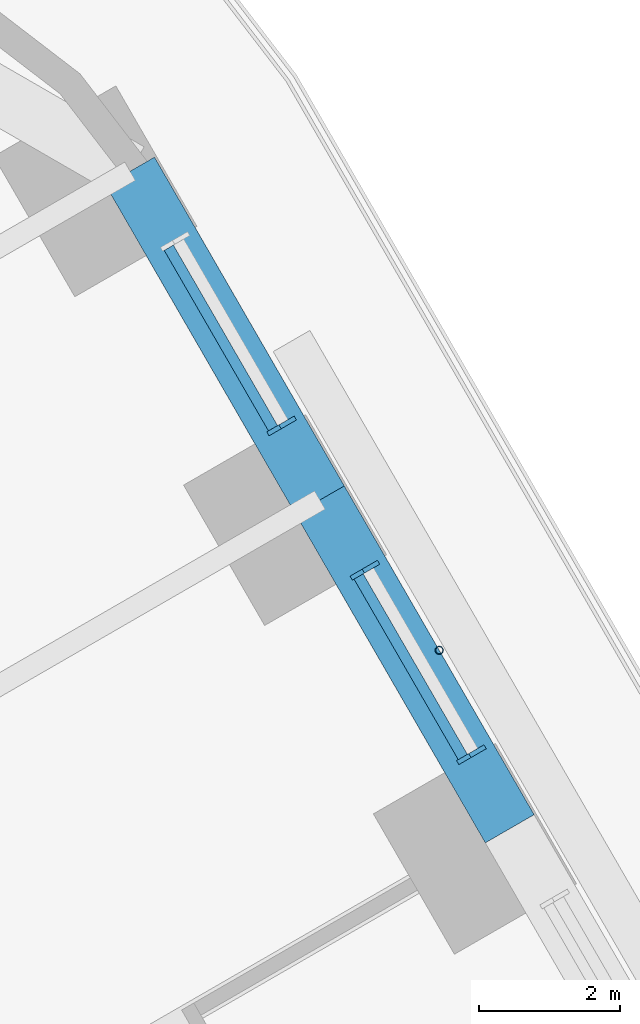
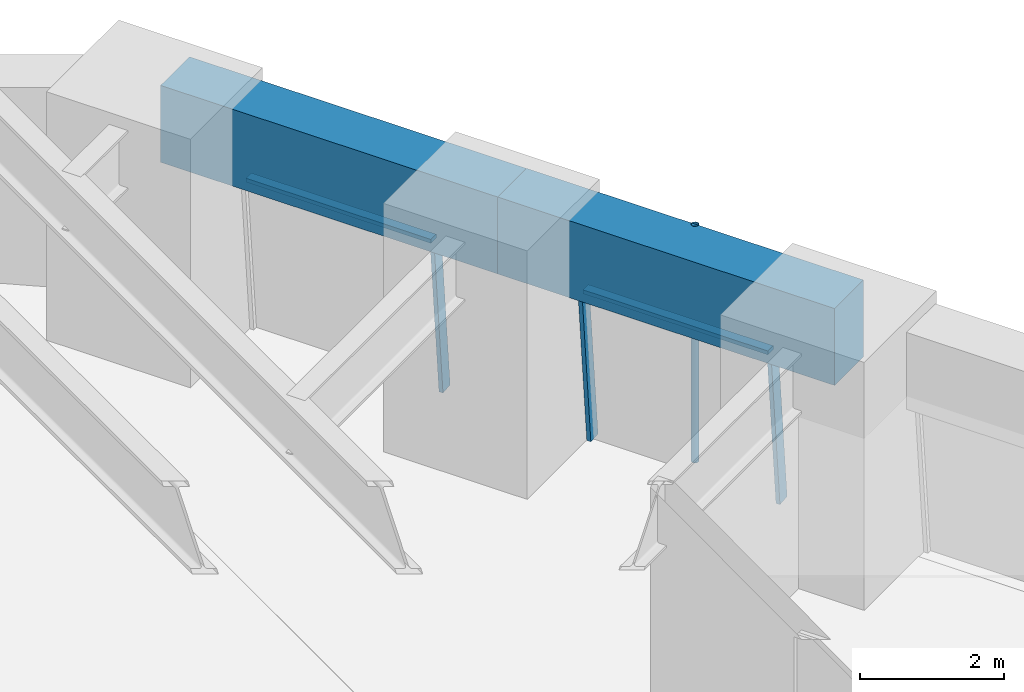
# One storey, part 11 of 23: 6 members, 2 beams, 2 elements without a shape of their own.
"""IFC4 building model written with IfcOpenShell, lengths in metres."""

from ifc_helpers import new_model, si_unit, direction, frame, origin, origin_2d, place, context, subcontext, project, spatial, rectangle, hollow_circle, extrude, material, material_profile, profile_set, type_object, element, aggregate, save


model = new_model("IFC4")

# Units and contexts
model_context = context("Model", 3, precision=1e-05, world=origin(), true_north=direction((0.0, 1.0)))
body_context = subcontext(model_context, "Body", "Model", "MODEL_VIEW")
ifc_project = project(units=[si_unit("LENGTHUNIT", "METRE"), si_unit("AREAUNIT", "SQUARE_METRE"), si_unit("VOLUMEUNIT", "CUBIC_METRE"), si_unit("PLANEANGLEUNIT", "RADIAN"), si_unit("MASSUNIT", "GRAM", prefix="KILO")], contexts=[model_context])

# Site, building, storey
site_placement = place(None, origin())
site = spatial("IfcSite", under=ifc_project, at=site_placement, CompositionType="ELEMENT")
building_placement = place(site_placement, origin())
building = spatial("IfcBuilding", under=site, at=building_placement, Name="Tarfa Lantern Tower", CompositionType="ELEMENT")
storey_placement = place(building_placement, frame((0.0, 0.0, 40.300048828125)))
storey = spatial("IfcBuildingStorey", under=building, at=storey_placement, Name="L08", CompositionType="ELEMENT", Elevation=40.300048828125)

# Curtain wall, members
ifc_material_1 = material(Name="Aluminium framed curtain wall", Category="aluminium")
curtain_wall_type = type_object("IfcCurtainWallType", Name="CW1 CANTED GLAZING LOW ZONE 2700", PredefinedType="USERDEFINED", material=ifc_material_1)
curtain_wall_1_placement = place(storey_placement, origin())
curtain_wall_1 = element("IfcCurtainWall", 1, at=curtain_wall_1_placement, inside=storey, type_object=curtain_wall_type, Name="CW1 NE L08", ObjectType="CURTAIN WALL", PredefinedType="USERDEFINED")
ifc_material_2 = material(Name="Aluminium mullion", Category="aluminium")
ifc_material_profile_1 = material_profile(ifc_material_2, rectangle(XDim=0.06494140625, YDim=0.199951171875, at=origin_2d()), Name="AL MULLION 65x200")
ifc_profile_set_1 = profile_set([ifc_material_profile_1], Name="Aluminium mullion")
member_type_1 = type_object("IfcMemberType", Name="CWM1 MULLION 65x200", PredefinedType="MULLION", material=ifc_profile_set_1)
member_1_placement = place(storey_placement, frame((26.07275390625, 22.640625, 0.0), z_axis=(-0.07986442134, -0.046099868913, 0.99573916077), x_axis=(0.499919672301, -0.866071776036, 0.0)))
member_1 = element("IfcMember", 2, at=member_1_placement, type_object=member_type_1, Name="CW1 mullion 1", PredefinedType="MULLION", context=body_context, shape_type="SweptSolid", body=[
    extrude(rectangle(XDim=0.06494140625, YDim=0.199951171875, at=origin_2d()), origin(), (0.0, 0.0, 1.0), 2.71142578125),
])
member_2_placement = place(storey_placement, frame((24.560791015625, 25.25927734375, 0.0), z_axis=(-0.079774955866, -0.04610020023, 0.995746317068), x_axis=(0.500342721131, -0.865827443207, 0.0)))
member_2 = element("IfcMember", 3, at=member_2_placement, type_object=member_type_1, Name="CW1 mullion 2", PredefinedType="MULLION", context=body_context, shape_type="SweptSolid", body=[
    extrude(rectangle(XDim=0.06494140625, YDim=0.199951171875, at=origin_2d()), origin(), (0.0, 0.0, 1.0), 2.71142578125),
])

# Curtain wall, member
curtain_wall_2_placement = place(storey_placement, origin())
curtain_wall_2 = element("IfcCurtainWall", 4, at=curtain_wall_2_placement, inside=storey, type_object=curtain_wall_type, Name="CW1 NE L08", ObjectType="CURTAIN WALL", PredefinedType="USERDEFINED")
member_3_placement = place(storey_placement, frame((23.37841796875, 27.307373046875, 0.0), z_axis=(-0.07986442134, -0.046099868913, 0.99573916077), x_axis=(0.499919672301, -0.866071776036, 0.0)))
member_3 = element("IfcMember", 5, at=member_3_placement, type_object=member_type_1, Name="CW1 mullion 1", PredefinedType="MULLION", context=body_context, shape_type="SweptSolid", body=[
    extrude(rectangle(XDim=0.06494140625, YDim=0.199951171875, at=origin_2d()), origin(), (0.0, 0.0, 1.0), 2.71142578125),
])

# Member
ifc_material_3 = material(Name="Aluminium transom", Category="aluminium")
ifc_material_profile_2 = material_profile(ifc_material_3, rectangle(XDim=0.14990234375, YDim=0.06494140625, at=origin_2d()), Name="AL TRANSOM 150x65")
ifc_profile_set_2 = profile_set([ifc_material_profile_2], Name="Aluminium transom")
member_type_2 = type_object("IfcMemberType", Name="CWT1 TRANSOM 150x65", PredefinedType="USERDEFINED", material=ifc_profile_set_2)
member_4_placement = place(storey_placement, frame((25.842529296875, 22.54541015625, 2.66748046875), z_axis=(-0.499981985492, 0.866035804215, 0.0), x_axis=(-0.866035804215, -0.499981985492, 0.0)))
member_4 = element("IfcMember", 6, at=member_4_placement, type_object=member_type_2, Name="CW1 transom 1.2", ObjectType="TRANSOM", PredefinedType="USERDEFINED", context=body_context, shape_type="SweptSolid", body=[
    extrude(rectangle(XDim=0.14990234375, YDim=0.06494140625, at=origin_2d()), origin(), (0.0, 0.0, 1.0), 2.95849609375),
])

aggregate(curtain_wall_1, [member_1, member_2, member_4])

member_5_placement = place(storey_placement, frame((23.148193359375, 27.212158203125, 2.66748046875), z_axis=(-0.500017718492, 0.866015173767, 0.0), x_axis=(-0.866015173767, -0.500017718492, 0.0)))
member_5 = element("IfcMember", 7, at=member_5_placement, type_object=member_type_2, Name="CW1 transom 1.2", ObjectType="TRANSOM", PredefinedType="USERDEFINED", context=body_context, shape_type="SweptSolid", body=[
    extrude(rectangle(XDim=0.14990234375, YDim=0.06494140625, at=origin_2d()), origin(), (0.0, 0.0, 1.0), 2.95849609375),
])

aggregate(curtain_wall_2, [member_3, member_5])

# Beams
ifc_material_4 = material(Name="Concrete C80/95", Category="concrete")
ifc_material_profile_3 = material_profile(ifc_material_4, rectangle(XDim=0.800048828125, YDim=1.300048828125, at=origin_2d()), Name="RC 800x1300")
ifc_profile_set_3 = profile_set([ifc_material_profile_3], Name="Concrete C80/95")
beam_type = type_object("IfcBeamType", Name="EB1 RC 800x1300", PredefinedType="SPANDREL", material=ifc_profile_set_3)
for number, where, z_axis, x_axis, name in (
    (8, (26.508056640625, 21.526611328125, 3.349853515625), (-0.499998287579, 0.866026392449, 0.0), (-0.866026392449, -0.499998287579, 0.0), "Edge beam NE4"),
    (9, (23.813720703125, 26.193359375, 3.349853515625), (-0.499998287579, 0.866026392449, 0.0), (-0.866026392449, -0.499998287579, 0.0), "Edge beam NE5"),
):
    element("IfcBeam", number, at=place(storey_placement, frame(where, z_axis=z_axis, x_axis=x_axis)), inside=storey, type_object=beam_type, Name=name, PredefinedType="SPANDREL", context=body_context, shape_type="SweptSolid", body=[
        extrude(rectangle(XDim=0.800048828125, YDim=1.300048828125, at=origin_2d()), origin(), (0.0, 0.0, 1.0), 5.388671875),
    ])

# Member
ifc_material_5 = material(Name="Steel S355", Category="steel")
ifc_material_profile_4 = material_profile(ifc_material_5, hollow_circle(Radius=0.05712890625, WallThickness=0.00634765625, at=origin_2d()), Name="CHS114.3x6.3")
ifc_profile_set_4 = profile_set([ifc_material_profile_4], Name="Steel S355")
member_type_3 = type_object("IfcMemberType", Name="TR1 GREEN WALL TRELLIS CHS114.3x6.3", PredefinedType="USERDEFINED", material=ifc_profile_set_4)
member_6_placement = place(storey_placement, frame((25.50732421875, 24.06005859375, 0.0), z_axis=(0.0, 0.0, 1.0), x_axis=(1.0, 0.0, 0.0)))
element("IfcMember", 10, at=member_6_placement, inside=storey, type_object=member_type_3, Name="Trellis post NE 2", ObjectType="TRELLIS", PredefinedType="USERDEFINED", context=body_context, shape_type="SweptSolid", body=[
    extrude(hollow_circle(Radius=0.05712890625, WallThickness=0.00634765625, at=origin_2d()), origin(), (0.0, 0.0, 1.0), 4.0),
])

save(model, "model.ifc")
